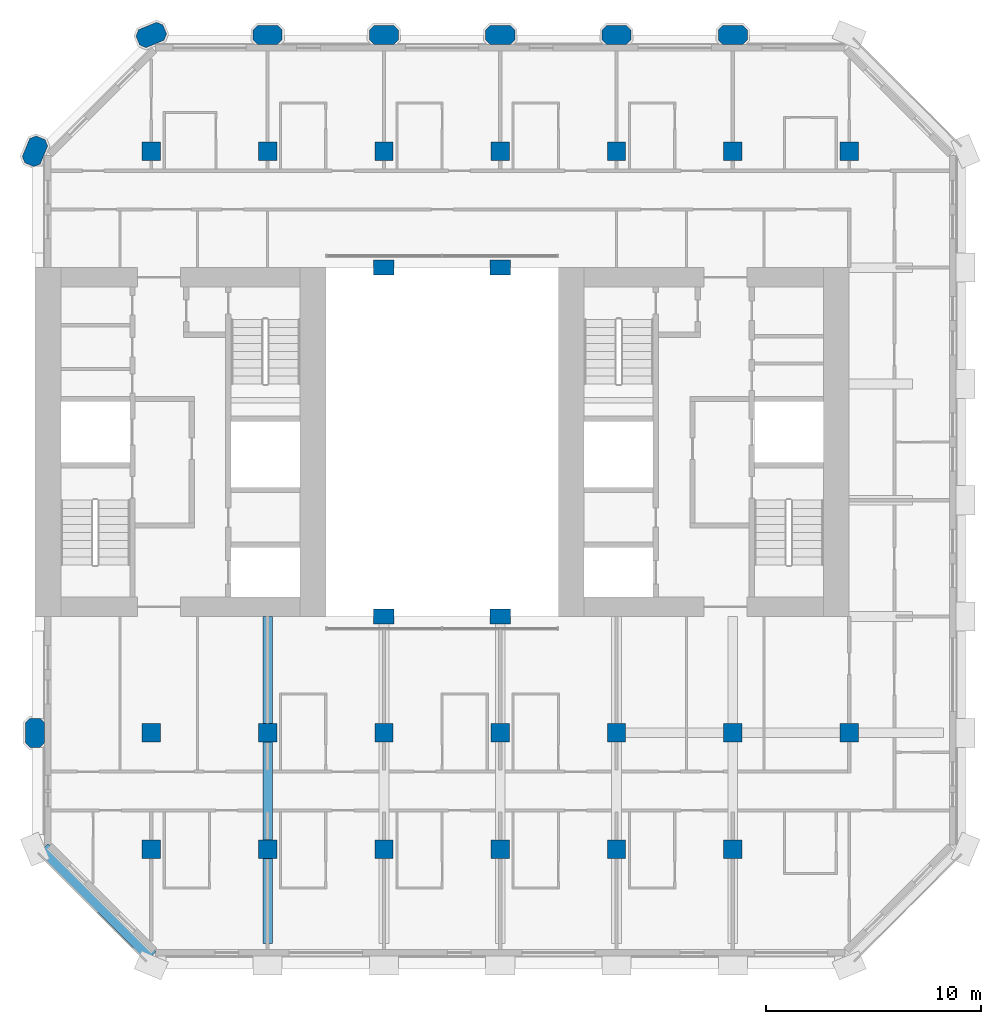
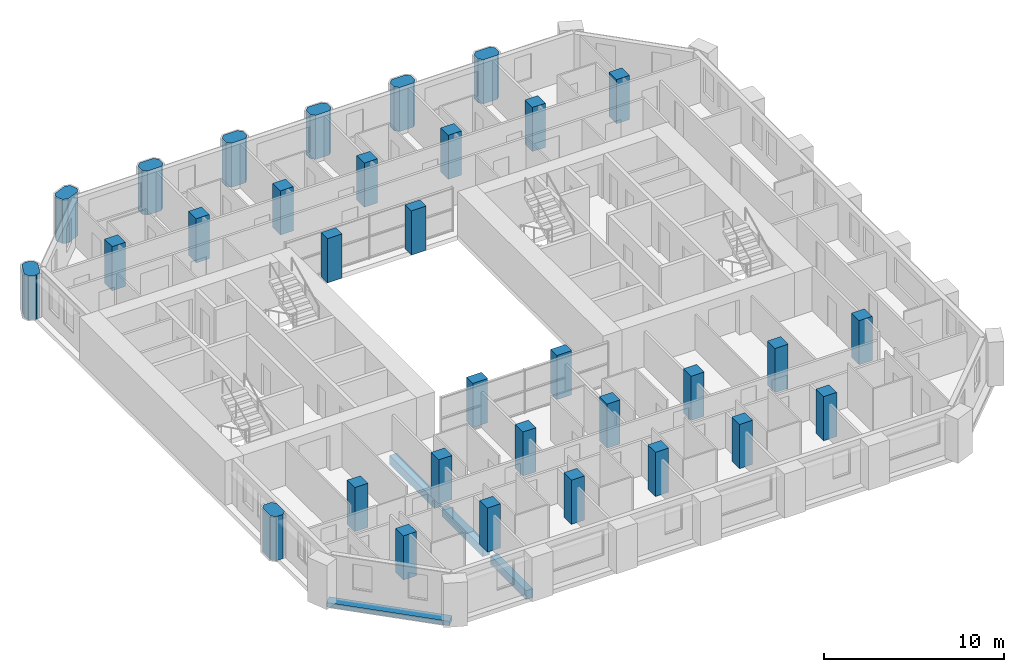
# One storey, part 1 of 16: 32 columns, 4 beams.
"""IFC4 building model written with IfcOpenShell, lengths in metres."""

from ifc_helpers import new_model, si_unit, direction, frame, origin, origin_2d, place, context, subcontext, project, spatial, polyline, rectangle, outline, extrude, material, material_profile, profile_set, type_object, element, save


model = new_model("IFC4")

# Units and contexts
model_context = context("Model", 3, precision=1e-05, world=origin(), true_north=direction((0.0, 1.0)))
body_context = subcontext(model_context, "Body", "Model", "MODEL_VIEW")
ifc_project = project(units=[si_unit("LENGTHUNIT", "METRE"), si_unit("AREAUNIT", "SQUARE_METRE"), si_unit("VOLUMEUNIT", "CUBIC_METRE"), si_unit("PLANEANGLEUNIT", "RADIAN"), si_unit("MASSUNIT", "GRAM", prefix="KILO")], contexts=[model_context])

# Site, building, storey
site_placement = place(None, origin())
site = spatial("IfcSite", under=ifc_project, at=site_placement, CompositionType="ELEMENT")
building_placement = place(site_placement, origin())
building = spatial("IfcBuilding", under=site, at=building_placement, Name="Tabaq Tower and Sports Hall", CompositionType="ELEMENT")
storey_placement = place(building_placement, frame((0.0, 0.0, 156.10009765625)))
storey = spatial("IfcBuildingStorey", under=building, at=storey_placement, Name="L36", CompositionType="ELEMENT", Elevation=156.10009765625)

# Columns
ifc_material_1 = material(Name="Concrete C50/60", Category="concrete")
ifc_material_profile_1 = material_profile(ifc_material_1, rectangle(XDim=0.949951171875, YDim=0.699951171875, at=origin_2d()), Name="ATRIUM COLUMN 950x700")
ifc_profile_set_1 = profile_set([ifc_material_profile_1], Name="Concrete C50/60")
column_type_1 = type_object("IfcColumnType", Name="RC COLUMN ATRIUM COLUMN 950x700 C50/60", PredefinedType="COLUMN", material=ifc_profile_set_1)
for number, where, z_axis, x_axis, name in (
    (1, (21.60009765625, 16.199951171875, 0.0), (0.0, 0.0, 1.0), (1.0, 0.0, 0.0), "Atrium Column 5/D L36"),
    (2, (27.0, 16.199951171875, 0.0), (0.0, 0.0, 1.0), (1.0, 0.0, 0.0), "Atrium Column 6/D L36"),
    (3, (21.60009765625, 32.39990234375, 0.0), (0.0, 0.0, 1.0), (1.0, 0.0, 0.0), "Atrium Column 5/G L36"),
    (4, (27.0, 32.39990234375, 0.0), (0.0, 0.0, 1.0), (1.0, 0.0, 0.0), "Atrium Column 6/G L36"),
):
    element("IfcColumn", number, at=place(storey_placement, frame(where, z_axis=z_axis, x_axis=x_axis)), inside=storey, type_object=column_type_1, Name=name, PredefinedType="COLUMN", context=body_context, shape_type="SweptSolid", body=[
        extrude(rectangle(XDim=0.949951171875, YDim=0.699951171875, at=origin_2d()), origin(), (0.0, 0.0, 1.0), 3.0),
    ])
ifc_material_2 = material(Name="Concrete C50/60", Category="concrete")
ifc_material_profile_2 = material_profile(ifc_material_2, rectangle(XDim=0.85009765625, YDim=0.85009765625, at=origin_2d()), Name="COLUMN 850x850")
ifc_profile_set_2 = profile_set([ifc_material_profile_2], Name="Concrete C50/60")
column_type_2 = type_object("IfcColumnType", Name="RC COLUMN COLUMN 850x850 C50/60", PredefinedType="COLUMN", material=ifc_profile_set_2)
for number, where, z_axis, x_axis, name in (
    (5, (10.800048828125, 5.39990234375, 0.0), (0.0, 0.0, 1.0), (1.0, 0.0, 0.0), "Column 3/B L36"),
    (6, (16.199951171875, 5.39990234375, 0.0), (0.0, 0.0, 1.0), (1.0, 0.0, 0.0), "Column 4/B L36"),
    (7, (21.60009765625, 5.39990234375, 0.0), (0.0, 0.0, 1.0), (1.0, 0.0, 0.0), "Column 5/B L36"),
    (8, (27.0, 5.39990234375, 0.0), (0.0, 0.0, 1.0), (1.0, 0.0, 0.0), "Column 6/B L36"),
    (9, (32.39990234375, 5.39990234375, 0.0), (0.0, 0.0, 1.0), (1.0, 0.0, 0.0), "Column 7/B L36"),
    (10, (37.800048828125, 5.39990234375, 0.0), (0.0, 0.0, 1.0), (1.0, 0.0, 0.0), "Column 8/B L36"),
    (11, (10.800048828125, 10.800048828125, 0.0), (0.0, 0.0, 1.0), (1.0, 0.0, 0.0), "Column 3/C L36"),
    (12, (16.199951171875, 10.800048828125, 0.0), (0.0, 0.0, 1.0), (1.0, 0.0, 0.0), "Column 4/C L36"),
    (13, (21.60009765625, 10.800048828125, 0.0), (0.0, 0.0, 1.0), (1.0, 0.0, 0.0), "Column 5/C L36"),
    (14, (27.0, 10.800048828125, 0.0), (0.0, 0.0, 1.0), (1.0, 0.0, 0.0), "Column 6/C L36"),
    (15, (32.39990234375, 10.800048828125, 0.0), (0.0, 0.0, 1.0), (1.0, 0.0, 0.0), "Column 7/C L36"),
    (16, (37.800048828125, 10.800048828125, 0.0), (0.0, 0.0, 1.0), (1.0, 0.0, 0.0), "Column 8/C L36"),
    (17, (43.199951171875, 10.800048828125, 0.0), (0.0, 0.0, 1.0), (1.0, 0.0, 0.0), "Column 9/C L36"),
    (18, (10.800048828125, 37.800048828125, 0.0), (0.0, 0.0, 1.0), (1.0, 0.0, 0.0), "Column 3/H L36"),
    (19, (16.199951171875, 37.800048828125, 0.0), (0.0, 0.0, 1.0), (1.0, 0.0, 0.0), "Column 4/H L36"),
    (20, (21.60009765625, 37.800048828125, 0.0), (0.0, 0.0, 1.0), (1.0, 0.0, 0.0), "Column 5/H L36"),
    (21, (27.0, 37.800048828125, 0.0), (0.0, 0.0, 1.0), (1.0, 0.0, 0.0), "Column 6/H L36"),
    (22, (32.39990234375, 37.800048828125, 0.0), (0.0, 0.0, 1.0), (1.0, 0.0, 0.0), "Column 7/H L36"),
    (23, (37.800048828125, 37.800048828125, 0.0), (0.0, 0.0, 1.0), (1.0, 0.0, 0.0), "Column 8/H L36"),
    (24, (43.199951171875, 37.800048828125, 0.0), (0.0, 0.0, 1.0), (1.0, 0.0, 0.0), "Column 9/H L36"),
):
    element("IfcColumn", number, at=place(storey_placement, frame(where, z_axis=z_axis, x_axis=x_axis)), inside=storey, type_object=column_type_2, Name=name, PredefinedType="COLUMN", context=body_context, shape_type="SweptSolid", body=[
        extrude(rectangle(XDim=0.85009765625, YDim=0.85009765625, at=origin_2d()), origin(), (0.0, 0.0, 1.0), 3.0),
    ])
ifc_material_3 = material(Name="Concrete C50/60", Category="concrete")
ifc_material_profile_3 = material_profile(ifc_material_3, outline(polyline([(-0.449951171875, -0.449951171875), (0.449951171875, -0.449951171875), (0.675048828125, -0.22509765625), (0.675048828125, 0.22509765625), (0.449951171875, 0.449951171875), (-0.449951171875, 0.449951171875), (-0.675048828125, 0.22509765625), (-0.675048828125, -0.22509765625), (-0.449951171875, -0.449951171875)])), Name="PIER 1350x900")
ifc_profile_set_3 = profile_set([ifc_material_profile_3], Name="Concrete C50/60")
column_type_3 = type_object("IfcColumnType", Name="RC COLUMN PIER 1350x900 C50/60", PredefinedType="COLUMN", material=ifc_profile_set_3)
for number, where, z_axis, x_axis, name in (
    (25, (5.39990234375, 10.800048828125, 0.0), (0.0, 0.0, 1.0), (0.0, 1.0, 0.0), "Pier 2/C L36"),
    (26, (5.39990234375, 37.800048828125, 0.0), (0.0, 0.0, 1.0), (0.382683432365, 0.923879532511, 0.0), "Pier 2/H L36"),
    (27, (10.800048828125, 43.199951171875, 0.0), (0.0, 0.0, 1.0), (0.923879532511, 0.382683432365, 0.0), "Pier 3/I L36"),
    (28, (16.199951171875, 43.199951171875, 0.0), (0.0, 0.0, 1.0), (1.0, 0.0, 0.0), "Pier 4/I L36"),
    (29, (21.60009765625, 43.199951171875, 0.0), (0.0, 0.0, 1.0), (1.0, 0.0, 0.0), "Pier 5/I L36"),
    (30, (27.0, 43.199951171875, 0.0), (0.0, 0.0, 1.0), (1.0, 0.0, 0.0), "Pier 6/I L36"),
    (31, (32.39990234375, 43.199951171875, 0.0), (0.0, 0.0, 1.0), (1.0, 0.0, 0.0), "Pier 7/I L36"),
    (32, (37.800048828125, 43.199951171875, 0.0), (0.0, 0.0, 1.0), (1.0, 0.0, 0.0), "Pier 8/I L36"),
):
    element("IfcColumn", number, at=place(storey_placement, frame(where, z_axis=z_axis, x_axis=x_axis)), inside=storey, type_object=column_type_3, Name=name, PredefinedType="COLUMN", context=body_context, shape_type="SweptSolid", body=[
        extrude(outline(polyline([(-0.449951171875, -0.449951171875), (0.449951171875, -0.449951171875), (0.675048828125, -0.22509765625), (0.675048828125, 0.22509765625), (0.449951171875, 0.449951171875), (-0.449951171875, 0.449951171875), (-0.675048828125, 0.22509765625), (-0.675048828125, -0.22509765625), (-0.449951171875, -0.449951171875)])), origin(), (0.0, 0.0, 1.0), 3.0),
    ])

# Beams
ifc_material_4 = material(Name="Concrete C40/50", Category="concrete")
ifc_material_profile_4 = material_profile(ifc_material_4, rectangle(XDim=0.449951171875, YDim=0.60009765625, at=origin_2d()), Name="CB 450x600")
ifc_profile_set_4 = profile_set([ifc_material_profile_4], Name="Concrete C40/50")
beam_type_1 = type_object("IfcBeamType", Name="PT CANTILEVER BEAM CB 450x600 C40/50", PredefinedType="BEAM", material=ifc_profile_set_4)
beam_1_placement = place(storey_placement, frame((16.199951171875, 1.02490234375, -0.60009765625), z_axis=(0.0, 1.0, 0.0), x_axis=(-1.0, 0.0, 0.0)))
element("IfcBeam", 33, at=beam_1_placement, inside=storey, type_object=beam_type_1, Name="Cantilever Beam L36 S3 span 1", PredefinedType="BEAM", context=body_context, shape_type="SweptSolid", body=[
    extrude(rectangle(XDim=0.449951171875, YDim=0.60009765625, at=origin_2d()), origin(), (0.0, 0.0, 1.0), 3.9501953125),
])
beam_2_placement = place(storey_placement, frame((16.199951171875, 5.824951171875, -0.60009765625), z_axis=(0.0, 1.0, 0.0), x_axis=(-1.0, 0.0, 0.0)))
element("IfcBeam", 34, at=beam_2_placement, inside=storey, type_object=beam_type_1, Name="Cantilever Beam L36 S3 span 2", PredefinedType="BEAM", context=body_context, shape_type="SweptSolid", body=[
    extrude(rectangle(XDim=0.449951171875, YDim=0.60009765625, at=origin_2d()), origin(), (0.0, 0.0, 1.0), 4.550048828125),
])
beam_3_placement = place(storey_placement, frame((16.199951171875, 11.22509765625, -0.60009765625), z_axis=(0.0, 1.0, 0.0), x_axis=(-1.0, 0.0, 0.0)))
element("IfcBeam", 35, at=beam_3_placement, inside=storey, type_object=beam_type_1, Name="Cantilever Beam L36 S3 span 3", PredefinedType="BEAM", context=body_context, shape_type="SweptSolid", body=[
    extrude(rectangle(XDim=0.449951171875, YDim=0.60009765625, at=origin_2d()), origin(), (0.0, 0.0, 1.0), 4.974853515625),
])
ifc_material_5 = material(Name="Concrete C40/50", Category="concrete")
ifc_material_profile_5 = material_profile(ifc_material_5, rectangle(XDim=0.60009765625, YDim=0.300048828125, at=origin_2d()), Name="EB 600x300")
ifc_profile_set_5 = profile_set([ifc_material_profile_5], Name="Concrete C40/50")
beam_type_2 = type_object("IfcBeamType", Name="PT EDGE BEAM EB 600x300 C40/50", PredefinedType="SPANDREL", material=ifc_profile_set_5)
beam_4_placement = place(storey_placement, frame((5.788818359375, 5.435302734375, -0.150146484375), z_axis=(0.707124002701, -0.707089559252, 0.0), x_axis=(0.707089559252, 0.707124002701, 0.0)))
element("IfcBeam", 36, at=beam_4_placement, inside=storey, type_object=beam_type_2, Name="Edge Beam L36 5", PredefinedType="SPANDREL", context=body_context, shape_type="SweptSolid", body=[
    extrude(rectangle(XDim=0.60009765625, YDim=0.300048828125, at=origin_2d()), origin(), (0.0, 0.0, 1.0), 7.088134765625),
])

save(model, "model.ifc")
